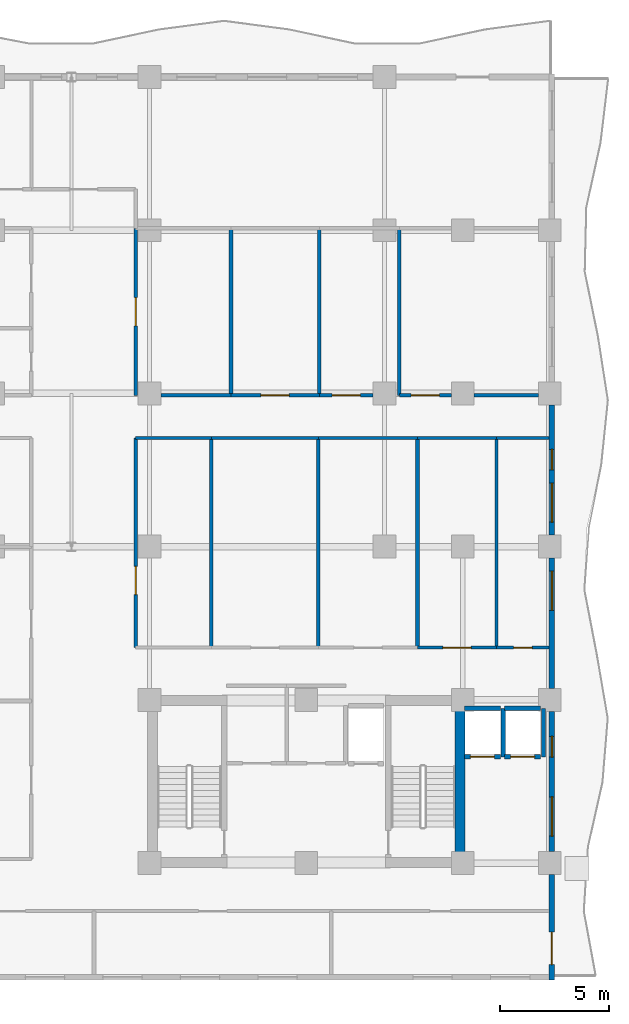
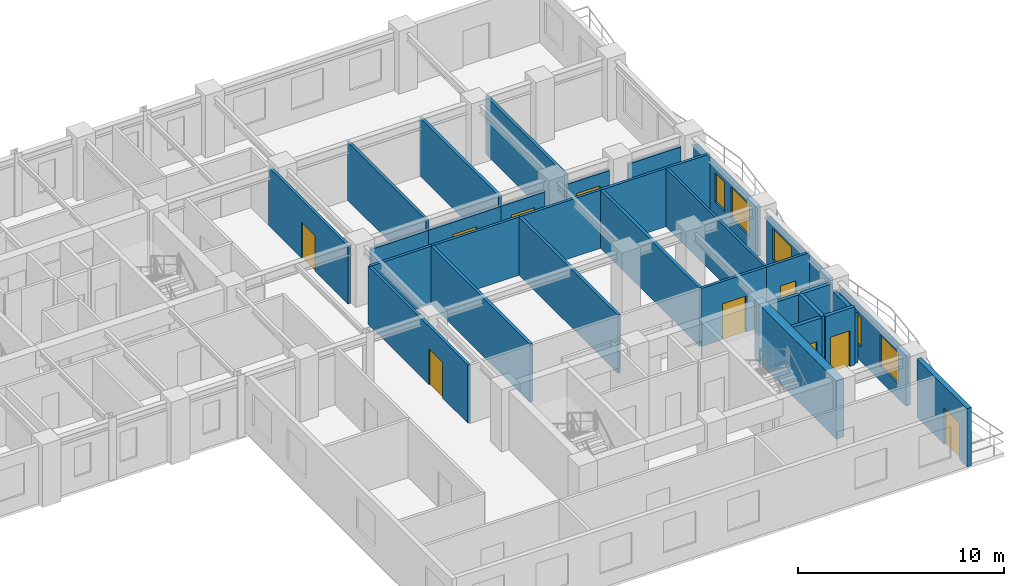
# One storey, part 13 of 19: 32 walls, 10 doors, 5 windows, 15 openings.
"""IFC4 building model written with IfcOpenShell, lengths in metres."""

from ifc_helpers import new_model, si_unit, direction, frame, frame_2d, origin, place, context, subcontext, project, spatial, rectangle, extrude, material, layer, layer_set, type_object, element, fill, save


model = new_model("IFC4")

# Units and contexts
model_context = context("Model", 3, precision=1e-05, world=origin(), true_north=direction((0.0, 1.0)))
body_context = subcontext(model_context, "Body", "Model", "MODEL_VIEW")
ifc_project = project(units=[si_unit("LENGTHUNIT", "METRE"), si_unit("AREAUNIT", "SQUARE_METRE"), si_unit("VOLUMEUNIT", "CUBIC_METRE"), si_unit("PLANEANGLEUNIT", "RADIAN"), si_unit("MASSUNIT", "GRAM", prefix="KILO")], contexts=[model_context])

# Site, building, storey
site_placement = place(None, origin())
site = spatial("IfcSite", under=ifc_project, at=site_placement, CompositionType="ELEMENT")
building_placement = place(site_placement, origin())
building = spatial("IfcBuilding", under=site, at=building_placement, Name="Kaliganga Portal Commons", CompositionType="ELEMENT")
storey_placement = place(building_placement, frame((0.0, 0.0, 184.60009765625)))
storey = spatial("IfcBuildingStorey", under=building, at=storey_placement, Name="L47", CompositionType="ELEMENT", Elevation=184.60009765625)

# Wall
ifc_material_1 = material(Name="Concrete C60/75", Category="concrete")
ifc_layer_1 = layer(ifc_material_1, 0.449951171875)
ifc_layer_set_1 = layer_set([ifc_layer_1], Name="Concrete C60/75")
wall_type_1 = type_object("IfcWallType", Name="WL-CORE-450", PredefinedType="SHEAR", material=ifc_layer_set_1)
wall_1_placement = place(storey_placement, frame((50.27490234375, 6.85009765625, 0.0), z_axis=(0.0, 0.0, 1.0), x_axis=(0.0, 1.0, 0.0)))
element("IfcWall", 1, at=wall_1_placement, inside=storey, type_object=wall_type_1, Name="Core B East Shear Wall L47", PredefinedType="SHEAR", context=body_context, shape_type="SweptSolid", body=[
    extrude(rectangle(XDim=7.89990234375, YDim=0.449951171875, at=frame_2d((3.949951171875, 0.0))), origin(), (0.0, 0.0, 1.0), 3.4599609375),
])

# Wall, opening, door
ifc_material_2 = material(Name="Insulated Aluminium-Clad Spandrel Assembly", Category="aluminium")
ifc_layer_2 = layer(ifc_material_2, 0.260009765625)
ifc_layer_set_2 = layer_set([ifc_layer_2], Name="Insulated Aluminium-Clad Spandrel Assembly")
wall_type_2 = type_object("IfcWallType", Name="WL-EXT-SPAND-260", PredefinedType="STANDARD", material=ifc_layer_set_2)
wall_2_placement = place(storey_placement, frame((54.5, 6.52392578125, 0.0), z_axis=(0.0, 0.0, 1.0), x_axis=(0.0, -1.0, 0.0)))
wall_2 = element("IfcWall", 2, at=wall_2_placement, inside=storey, type_object=wall_type_2, Name="Exterior Envelope Wall L47 P1-E01-S1", PredefinedType="STANDARD", context=body_context, shape_type="SweptSolid", body=[
    extrude(rectangle(XDim=4.85400390625, YDim=0.260009765625, at=frame_2d((2.427001953125, 0.0))), origin(), (0.0, 0.0, 1.0), 3.43994140625),
])
opening_1_placement = place(wall_2_placement, frame((2.64794921875, 0.0, 0.0)))
opening_1 = element("IfcOpeningElement", 3, at=opening_1_placement, cuts=wall_2, Name="Opening BD-01", PredefinedType="OPENING", context=body_context, shape_type="SweptSolid", body=[
    extrude(rectangle(XDim=1.5, YDim=2.14990234375, at=frame_2d((0.75, 1.074951171875))), frame((0.0, 0.14013671875, 0.0), z_axis=(0.0, -1.0, 0.0), x_axis=(1.0, 0.0, 0.0)), (0.0, 0.0, 1.0), 0.280029296875),
])
ifc_material_3 = material(Name="Anodized Aluminium and Laminated Safety Glass", Category="aluminium")
door_type_1 = type_object("IfcDoorType", Name="DR-BALC-1500", OperationType="SLIDING_TO_LEFT", PredefinedType="DOOR", material=ifc_material_3)
door_1_placement = place(opening_1_placement, origin())
door_1 = element("IfcDoor", 4, at=door_1_placement, inside=storey, type_object=door_type_1, Name="Balcony Sliding Door L47 balc_east", OperationType="SLIDING_TO_LEFT", OverallHeight=2.14990234375, OverallWidth=1.5, PredefinedType="DOOR", context=body_context, shape_type="SweptSolid", body=[
    extrude(rectangle(XDim=1.5, YDim=2.14990234375, at=frame_2d((0.75, 1.074951171875))), frame((0.0, 0.02490234375, 0.0), z_axis=(0.0, -1.0, 0.0), x_axis=(1.0, 0.0, 0.0)), (0.0, 0.0, 1.0), 0.050048828125),
])
fill(opening_1, door_1)

# Wall, openings, windows
wall_3_placement = place(storey_placement, frame((54.5, 14.02392578125, 0.0), z_axis=(0.0, 0.0, 1.0), x_axis=(0.0, -1.0, 0.0)))
wall_3 = element("IfcWall", 5, at=wall_3_placement, inside=storey, type_object=wall_type_2, Name="Exterior Envelope Wall L47 P1-E01-S2", PredefinedType="STANDARD", context=body_context, shape_type="SweptSolid", body=[
    extrude(rectangle(XDim=6.447998046875, YDim=0.260009765625, at=frame_2d((3.22412109375, 0.0))), origin(), (0.0, 0.0, 1.0), 2.989990234375),
])
opening_2_placement = place(wall_3_placement, frame((3.93603515625, 0.0, 0.85009765625)))
opening_2 = element("IfcOpeningElement", 6, at=opening_2_placement, cuts=wall_3, Name="Opening W-01", PredefinedType="OPENING", context=body_context, shape_type="SweptSolid", body=[
    extrude(rectangle(XDim=1.800048828125, YDim=1.85009765625, at=frame_2d((0.89990234375, 0.925048828125))), frame((0.0, 0.14013671875, 0.0), z_axis=(0.0, -1.0, 0.0), x_axis=(1.0, 0.0, 0.0)), (0.0, 0.0, 1.0), 0.280029296875),
])
opening_3_placement = place(wall_3_placement, frame((1.14990234375, 0.0, 0.85009765625)))
opening_3 = element("IfcOpeningElement", 7, at=opening_3_placement, cuts=wall_3, Name="Opening W-04", PredefinedType="OPENING", context=body_context, shape_type="SweptSolid", body=[
    extrude(rectangle(XDim=0.949951171875, YDim=1.75, at=frame_2d((0.47509765625, 0.875))), frame((0.0, 0.14013671875, 0.0), z_axis=(0.0, -1.0, 0.0), x_axis=(1.0, 0.0, 0.0)), (0.0, 0.0, 1.0), 0.280029296875),
])
ifc_material_4 = material(Name="Thermally Broken Aluminium and Low-E Double Glazing", Category="aluminium")
window_type_1 = type_object("IfcWindowType", Name="WIN-NARROW-950", PartitioningType="SINGLE_PANEL", PredefinedType="WINDOW", material=ifc_material_4)
window_1_placement = place(opening_3_placement, origin())
window_1 = element("IfcWindow", 8, at=window_1_placement, inside=storey, type_object=window_type_1, Name="Facade Window L47-P1E01S2-N1", OverallHeight=1.75, OverallWidth=0.949951171875, PartitioningType="SINGLE_PANEL", PredefinedType="WINDOW", context=body_context, shape_type="SweptSolid", body=[
    extrude(rectangle(XDim=0.949951171875, YDim=1.75, at=frame_2d((0.47509765625, 0.875))), frame((0.0, 0.030029296875, 0.0), z_axis=(0.0, -1.0, 0.0), x_axis=(1.0, 0.0, 0.0)), (0.0, 0.0, 1.0), 0.06005859375),
])
fill(opening_3, window_1)
window_type_2 = type_object("IfcWindowType", Name="WIN-STD-1800", PartitioningType="DOUBLE_PANEL_VERTICAL", PredefinedType="WINDOW", material=ifc_material_4)
window_2_placement = place(opening_2_placement, origin())
window_2 = element("IfcWindow", 9, at=window_2_placement, inside=storey, type_object=window_type_2, Name="Facade Window L47-P1E01S2-01", OverallHeight=1.85009765625, OverallWidth=1.800048828125, PartitioningType="SINGLE_PANEL", PredefinedType="WINDOW", context=body_context, shape_type="SweptSolid", body=[
    extrude(rectangle(XDim=1.800048828125, YDim=1.85009765625, at=frame_2d((0.89990234375, 0.925048828125))), frame((0.0, 0.030029296875, 0.0), z_axis=(0.0, -1.0, 0.0), x_axis=(1.0, 0.0, 0.0)), (0.0, 0.0, 1.0), 0.06005859375),
])
fill(opening_2, window_2)

# Wall, opening, window
wall_4_placement = place(storey_placement, frame((54.5, 21.073974609375, 0.0), z_axis=(0.0, 0.0, 1.0), x_axis=(0.0, -1.0, 0.0)))
wall_4 = element("IfcWall", 10, at=wall_4_placement, inside=storey, type_object=wall_type_2, Name="Exterior Envelope Wall L47 P1-E01-S3", PredefinedType="STANDARD", context=body_context, shape_type="SweptSolid", body=[
    extrude(rectangle(XDim=5.998046875, YDim=0.260009765625, at=frame_2d((2.9990234375, 0.0))), origin(), (0.0, 0.0, 1.0), 2.989990234375),
])
opening_4_placement = place(wall_4_placement, frame((0.599609375, 0.0, 0.85009765625)))
opening_4 = element("IfcOpeningElement", 11, at=opening_4_placement, cuts=wall_4, Name="Opening W-01", PredefinedType="OPENING", context=body_context, shape_type="SweptSolid", body=[
    extrude(rectangle(XDim=1.800048828125, YDim=1.85009765625, at=frame_2d((0.89990234375, 0.925048828125))), frame((0.0, 0.14013671875, 0.0), z_axis=(0.0, -1.0, 0.0), x_axis=(1.0, 0.0, 0.0)), (0.0, 0.0, 1.0), 0.280029296875),
])
window_3_placement = place(opening_4_placement, origin())
window_3 = element("IfcWindow", 12, at=window_3_placement, inside=storey, type_object=window_type_2, Name="Facade Window L47-P1E01S3-00", OverallHeight=1.85009765625, OverallWidth=1.800048828125, PartitioningType="SINGLE_PANEL", PredefinedType="WINDOW", context=body_context, shape_type="SweptSolid", body=[
    extrude(rectangle(XDim=1.800048828125, YDim=1.85009765625, at=frame_2d((0.89990234375, 0.925048828125))), frame((0.0, 0.030029296875, 0.0), z_axis=(0.0, -1.0, 0.0), x_axis=(1.0, 0.0, 0.0)), (0.0, 0.0, 1.0), 0.06005859375),
])
fill(opening_4, window_3)

# Wall, openings, windows
wall_5_placement = place(storey_placement, frame((54.5, 28.1240234375, 0.0), z_axis=(0.0, 0.0, 1.0), x_axis=(0.0, -1.0, 0.0)))
wall_5 = element("IfcWall", 13, at=wall_5_placement, inside=storey, type_object=wall_type_2, Name="Exterior Envelope Wall L47 P1-E01-S4", PredefinedType="STANDARD", context=body_context, shape_type="SweptSolid", body=[
    extrude(rectangle(XDim=5.998046875, YDim=0.260009765625, at=frame_2d((2.9990234375, 0.0))), origin(), (0.0, 0.0, 1.0), 2.989990234375),
])
opening_5_placement = place(wall_5_placement, frame((3.598388671875, 0.0, 0.85009765625)))
opening_5 = element("IfcOpeningElement", 14, at=opening_5_placement, cuts=wall_5, Name="Opening W-01", PredefinedType="OPENING", context=body_context, shape_type="SweptSolid", body=[
    extrude(rectangle(XDim=1.800048828125, YDim=1.85009765625, at=frame_2d((0.89990234375, 0.925048828125))), frame((0.0, 0.14013671875, 0.0), z_axis=(0.0, -1.0, 0.0), x_axis=(1.0, 0.0, 0.0)), (0.0, 0.0, 1.0), 0.280029296875),
])
opening_6_placement = place(wall_5_placement, frame((2.044189453125, 0.0, 0.85009765625)))
opening_6 = element("IfcOpeningElement", 15, at=opening_6_placement, cuts=wall_5, Name="Opening W-04", PredefinedType="OPENING", context=body_context, shape_type="SweptSolid", body=[
    extrude(rectangle(XDim=0.949951171875, YDim=1.75, at=frame_2d((0.47509765625, 0.875))), frame((0.0, 0.14013671875, 0.0), z_axis=(0.0, -1.0, 0.0), x_axis=(1.0, 0.0, 0.0)), (0.0, 0.0, 1.0), 0.280029296875),
])
window_4_placement = place(opening_6_placement, origin())
window_4 = element("IfcWindow", 16, at=window_4_placement, inside=storey, type_object=window_type_1, Name="Facade Window L47-P1E01S4-N5", OverallHeight=1.75, OverallWidth=0.949951171875, PartitioningType="SINGLE_PANEL", PredefinedType="WINDOW", context=body_context, shape_type="SweptSolid", body=[
    extrude(rectangle(XDim=0.949951171875, YDim=1.75, at=frame_2d((0.47509765625, 0.875))), frame((0.0, 0.030029296875, 0.0), z_axis=(0.0, -1.0, 0.0), x_axis=(1.0, 0.0, 0.0)), (0.0, 0.0, 1.0), 0.06005859375),
])
fill(opening_6, window_4)
window_5_placement = place(opening_5_placement, origin())
window_5 = element("IfcWindow", 17, at=window_5_placement, inside=storey, type_object=window_type_2, Name="Facade Window L47-P1E01S4-01", OverallHeight=1.85009765625, OverallWidth=1.800048828125, PartitioningType="SINGLE_PANEL", PredefinedType="WINDOW", context=body_context, shape_type="SweptSolid", body=[
    extrude(rectangle(XDim=1.800048828125, YDim=1.85009765625, at=frame_2d((0.89990234375, 0.925048828125))), frame((0.0, 0.030029296875, 0.0), z_axis=(0.0, -1.0, 0.0), x_axis=(1.0, 0.0, 0.0)), (0.0, 0.0, 1.0), 0.06005859375),
])
fill(opening_5, window_5)

# Wall, opening, door
ifc_material_5 = material(Name="Fire-Rated Gypsum Board on Steel Stud", Category="steel")
ifc_layer_3 = layer(ifc_material_5, 0.14990234375)
ifc_layer_set_3 = layer_set([ifc_layer_3], Name="Fire-Rated Gypsum Board on Steel Stud")
wall_type_3 = type_object("IfcWallType", Name="WL-PART-CORR-150", PredefinedType="PARTITIONING", material=ifc_layer_set_3)
wall_6_placement = place(storey_placement, frame((35.360107421875, 16.9599609375, 0.0), z_axis=(0.0, 0.0, 1.0), x_axis=(0.0, 1.0, 0.0)))
wall_6 = element("IfcWall", 18, at=wall_6_placement, inside=storey, type_object=wall_type_3, Name="Interior Partition L47-012", PredefinedType="PARTITIONING", context=body_context, shape_type="SweptSolid", body=[
    extrude(rectangle(XDim=9.64013671875, YDim=0.14990234375, at=frame_2d((4.820068359375, 0.0))), origin(), (0.0, 0.0, 1.0), 3.43994140625),
])
opening_7_placement = place(wall_6_placement, frame((2.434814453125, 0.0, 0.0)))
opening_7 = element("IfcOpeningElement", 19, at=opening_7_placement, cuts=wall_6, Name="Opening RD-03", PredefinedType="OPENING", context=body_context, shape_type="SweptSolid", body=[
    extrude(rectangle(XDim=1.300048828125, YDim=2.1201171875, at=frame_2d((0.64990234375, 1.06005859375))), frame((0.0, 0.0849609375, 0.0), z_axis=(0.0, -1.0, 0.0), x_axis=(1.0, 0.0, 0.0)), (0.0, 0.0, 1.0), 0.169921875),
])
ifc_material_6 = material(Name="Glazed Timber Seminar Vision Door", Category="wood")
door_type_2 = type_object("IfcDoorType", Name="DR-STUDY-1300", OperationType="DOUBLE_DOOR_SINGLE_SWING", PredefinedType="DOOR", material=ifc_material_6)
door_2_placement = place(opening_7_placement, origin())
door_2 = element("IfcDoor", 20, at=door_2_placement, inside=storey, type_object=door_type_2, Name="Interior Door L47-BM01", OperationType="DOUBLE_DOOR_SINGLE_SWING", OverallHeight=2.1201171875, OverallWidth=1.300048828125, PredefinedType="DOOR", context=body_context, shape_type="SweptSolid", body=[
    extrude(rectangle(XDim=1.300048828125, YDim=2.1201171875, at=frame_2d((0.64990234375, 1.06005859375))), frame((0.0, 0.02490234375, 0.0), z_axis=(0.0, -1.0, 0.0), x_axis=(1.0, 0.0, 0.0)), (0.0, 0.0, 1.0), 0.050048828125),
])
fill(opening_7, door_2)

wall_7_placement = place(storey_placement, frame((35.360107421875, 28.56005859375, 0.0), z_axis=(0.0, 0.0, 1.0), x_axis=(0.0, 1.0, 0.0)))
wall_7 = element("IfcWall", 21, at=wall_7_placement, inside=storey, type_object=wall_type_3, Name="Interior Partition L47-019", PredefinedType="PARTITIONING", context=body_context, shape_type="SweptSolid", body=[
    extrude(rectangle(XDim=7.679931640625, YDim=0.14990234375, at=frame_2d((3.83984375, 0.0))), origin(), (0.0, 0.0, 1.0), 3.43994140625),
])
opening_8_placement = place(wall_7_placement, frame((3.18994140625, 0.0, 0.0)))
opening_8 = element("IfcOpeningElement", 22, at=opening_8_placement, cuts=wall_7, Name="Opening RD-03", PredefinedType="OPENING", context=body_context, shape_type="SweptSolid", body=[
    extrude(rectangle(XDim=1.300048828125, YDim=2.1201171875, at=frame_2d((0.64990234375, 1.06005859375))), frame((0.0, 0.0849609375, 0.0), z_axis=(0.0, -1.0, 0.0), x_axis=(1.0, 0.0, 0.0)), (0.0, 0.0, 1.0), 0.169921875),
])
door_3_placement = place(opening_8_placement, origin())
door_3 = element("IfcDoor", 23, at=door_3_placement, inside=storey, type_object=door_type_2, Name="Interior Door L47-BK01", OperationType="DOUBLE_DOOR_SINGLE_SWING", OverallHeight=2.1201171875, OverallWidth=1.300048828125, PredefinedType="DOOR", context=body_context, shape_type="SweptSolid", body=[
    extrude(rectangle(XDim=1.300048828125, YDim=2.1201171875, at=frame_2d((0.64990234375, 1.06005859375))), frame((0.0, 0.02490234375, 0.0), z_axis=(0.0, -1.0, 0.0), x_axis=(1.0, 0.0, 0.0)), (0.0, 0.0, 1.0), 0.050048828125),
])
fill(opening_8, door_3)

wall_8_placement = place(storey_placement, frame((47.47998046875, 28.56005859375, 0.0), z_axis=(0.0, 0.0, 1.0), x_axis=(1.0, 0.0, 0.0)))
wall_8 = element("IfcWall", 24, at=wall_8_placement, inside=storey, type_object=wall_type_3, Name="Interior Partition L47-023", PredefinedType="PARTITIONING", context=body_context, shape_type="SweptSolid", body=[
    extrude(rectangle(XDim=2.39501953125, YDim=0.14990234375, at=frame_2d((1.197509765625, 0.0))), origin(), (0.0, 0.0, 1.0), 2.83984375),
])
opening_9_placement = place(wall_8_placement, frame((0.547607421875, 0.0, 0.0)))
opening_9 = element("IfcOpeningElement", 25, at=opening_9_placement, cuts=wall_8, Name="Opening RD-03", PredefinedType="OPENING", context=body_context, shape_type="SweptSolid", body=[
    extrude(rectangle(XDim=1.300048828125, YDim=2.1201171875, at=frame_2d((0.64990234375, 1.06005859375))), frame((0.0, 0.0849609375, 0.0), z_axis=(0.0, -1.0, 0.0), x_axis=(1.0, 0.0, 0.0)), (0.0, 0.0, 1.0), 0.169921875),
])
door_4_placement = place(opening_9_placement, origin())
door_4 = element("IfcDoor", 26, at=door_4_placement, inside=storey, type_object=door_type_2, Name="Interior Door L47-BK04", OperationType="DOUBLE_DOOR_SINGLE_SWING", OverallHeight=2.1201171875, OverallWidth=1.300048828125, PredefinedType="DOOR", context=body_context, shape_type="SweptSolid", body=[
    extrude(rectangle(XDim=1.300048828125, YDim=2.1201171875, at=frame_2d((0.64990234375, 1.06005859375))), frame((0.0, 0.02490234375, 0.0), z_axis=(0.0, -1.0, 0.0), x_axis=(1.0, 0.0, 0.0)), (0.0, 0.0, 1.0), 0.050048828125),
])
fill(opening_9, door_4)

# Walls
wall_9_placement = place(storey_placement, frame((50.925048828125, 28.56005859375, 0.0), z_axis=(0.0, 0.0, 1.0), x_axis=(1.0, 0.0, 0.0)))
element("IfcWall", 27, at=wall_9_placement, inside=storey, type_object=wall_type_3, Name="Interior Partition L47-024", PredefinedType="PARTITIONING", context=body_context, shape_type="SweptSolid", body=[
    extrude(rectangle(XDim=2.949951171875, YDim=0.14990234375, at=frame_2d((1.47509765625, 0.0))), origin(), (0.0, 0.0, 1.0), 2.83984375),
])
wall_10_placement = place(storey_placement, frame((38.840087890625, 26.60009765625, 0.0), z_axis=(0.0, 0.0, 1.0), x_axis=(1.0, 0.0, 0.0)))
element("IfcWall", 28, at=wall_10_placement, inside=storey, type_object=wall_type_3, Name="Interior Partition L47-031", PredefinedType="PARTITIONING", context=body_context, shape_type="SweptSolid", body=[
    extrude(rectangle(XDim=4.919921875, YDim=0.14990234375, at=frame_2d((2.4599609375, 0.0))), origin(), (0.0, 0.0, 1.0), 3.43994140625),
])
wall_11_placement = place(storey_placement, frame((43.760009765625, 26.60009765625, 0.0), z_axis=(0.0, 0.0, 1.0), x_axis=(1.0, 0.0, 0.0)))
element("IfcWall", 29, at=wall_11_placement, inside=storey, type_object=wall_type_3, Name="Interior Partition L47-037", PredefinedType="PARTITIONING", context=body_context, shape_type="SweptSolid", body=[
    extrude(rectangle(XDim=4.56005859375, YDim=0.14990234375, at=frame_2d((2.280029296875, 0.0))), origin(), (0.0, 0.0, 1.0), 3.43994140625),
])
wall_12_placement = place(storey_placement, frame((36.52490234375, 28.56005859375, 0.0), z_axis=(0.0, 0.0, 1.0), x_axis=(1.0, 0.0, 0.0)))
element("IfcWall", 30, at=wall_12_placement, inside=storey, type_object=wall_type_3, Name="Interior Partition L47-038", PredefinedType="PARTITIONING", context=body_context, shape_type="SweptSolid", body=[
    extrude(rectangle(XDim=3.215087890625, YDim=0.14990234375, at=frame_2d((1.607421875, 0.0))), origin(), (0.0, 0.0, 1.0), 2.83984375),
])

# Wall, opening, door
wall_13_placement = place(storey_placement, frame((39.739990234375, 28.56005859375, 0.0), z_axis=(0.0, 0.0, 1.0), x_axis=(1.0, 0.0, 0.0)))
wall_13 = element("IfcWall", 31, at=wall_13_placement, inside=storey, type_object=wall_type_3, Name="Interior Partition L47-039", PredefinedType="PARTITIONING", context=body_context, shape_type="SweptSolid", body=[
    extrude(rectangle(XDim=4.06005859375, YDim=0.14990234375, at=frame_2d((2.030029296875, 0.0))), origin(), (0.0, 0.0, 1.0), 2.83984375),
])
opening_10_placement = place(wall_13_placement, frame((1.3798828125, 0.0, 0.0)))
opening_10 = element("IfcOpeningElement", 32, at=opening_10_placement, cuts=wall_13, Name="Opening RD-03", PredefinedType="OPENING", context=body_context, shape_type="SweptSolid", body=[
    extrude(rectangle(XDim=1.300048828125, YDim=2.1201171875, at=frame_2d((0.64990234375, 1.06005859375))), frame((0.0, 0.0849609375, 0.0), z_axis=(0.0, -1.0, 0.0), x_axis=(1.0, 0.0, 0.0)), (0.0, 0.0, 1.0), 0.169921875),
])
door_5_placement = place(opening_10_placement, origin())
door_5 = element("IfcDoor", 33, at=door_5_placement, inside=storey, type_object=door_type_2, Name="Interior Door L47-BK02", OperationType="DOUBLE_DOOR_SINGLE_SWING", OverallHeight=2.1201171875, OverallWidth=1.300048828125, PredefinedType="DOOR", context=body_context, shape_type="SweptSolid", body=[
    extrude(rectangle(XDim=1.300048828125, YDim=2.1201171875, at=frame_2d((0.64990234375, 1.06005859375))), frame((0.0, 0.02490234375, 0.0), z_axis=(0.0, -1.0, 0.0), x_axis=(1.0, 0.0, 0.0)), (0.0, 0.0, 1.0), 0.050048828125),
])
fill(opening_10, door_5)

wall_14_placement = place(storey_placement, frame((43.800048828125, 28.56005859375, 0.0), z_axis=(0.0, 0.0, 1.0), x_axis=(1.0, 0.0, 0.0)))
wall_14 = element("IfcWall", 34, at=wall_14_placement, inside=storey, type_object=wall_type_3, Name="Interior Partition L47-043", PredefinedType="PARTITIONING", context=body_context, shape_type="SweptSolid", body=[
    extrude(rectangle(XDim=2.474853515625, YDim=0.14990234375, at=frame_2d((1.2373046875, 0.0))), origin(), (0.0, 0.0, 1.0), 2.83984375),
])
opening_11_placement = place(wall_14_placement, frame((0.58740234375, 0.0, 0.0)))
opening_11 = element("IfcOpeningElement", 35, at=opening_11_placement, cuts=wall_14, Name="Opening RD-03", PredefinedType="OPENING", context=body_context, shape_type="SweptSolid", body=[
    extrude(rectangle(XDim=1.300048828125, YDim=2.1201171875, at=frame_2d((0.64990234375, 1.06005859375))), frame((0.0, 0.0849609375, 0.0), z_axis=(0.0, -1.0, 0.0), x_axis=(1.0, 0.0, 0.0)), (0.0, 0.0, 1.0), 0.169921875),
])
door_6_placement = place(opening_11_placement, origin())
door_6 = element("IfcDoor", 36, at=door_6_placement, inside=storey, type_object=door_type_2, Name="Interior Door L47-BK03", OperationType="DOUBLE_DOOR_SINGLE_SWING", OverallHeight=2.1201171875, OverallWidth=1.300048828125, PredefinedType="DOOR", context=body_context, shape_type="SweptSolid", body=[
    extrude(rectangle(XDim=1.300048828125, YDim=2.1201171875, at=frame_2d((0.64990234375, 1.06005859375))), frame((0.0, 0.02490234375, 0.0), z_axis=(0.0, -1.0, 0.0), x_axis=(1.0, 0.0, 0.0)), (0.0, 0.0, 1.0), 0.050048828125),
])
fill(opening_11, door_6)

wall_15_placement = place(storey_placement, frame((48.320068359375, 16.9599609375, 0.0), z_axis=(0.0, 0.0, 1.0), x_axis=(1.0, 0.0, 0.0)))
wall_15 = element("IfcWall", 37, at=wall_15_placement, inside=storey, type_object=wall_type_3, Name="Interior Partition L47-044", PredefinedType="PARTITIONING", context=body_context, shape_type="SweptSolid", body=[
    extrude(rectangle(XDim=3.639892578125, YDim=0.14990234375, at=frame_2d((1.81982421875, 0.0))), origin(), (0.0, 0.0, 1.0), 3.43994140625),
])
opening_12_placement = place(wall_15_placement, frame((1.169921875, 0.0, 0.0)))
opening_12 = element("IfcOpeningElement", 38, at=opening_12_placement, cuts=wall_15, Name="Opening RD-03", PredefinedType="OPENING", context=body_context, shape_type="SweptSolid", body=[
    extrude(rectangle(XDim=1.300048828125, YDim=2.1201171875, at=frame_2d((0.64990234375, 1.06005859375))), frame((0.0, 0.0849609375, 0.0), z_axis=(0.0, -1.0, 0.0), x_axis=(1.0, 0.0, 0.0)), (0.0, 0.0, 1.0), 0.169921875),
])
door_7_placement = place(opening_12_placement, origin())
door_7 = element("IfcDoor", 39, at=door_7_placement, inside=storey, type_object=door_type_2, Name="Interior Door L47-BM04", OperationType="DOUBLE_DOOR_SINGLE_SWING", OverallHeight=2.1201171875, OverallWidth=1.300048828125, PredefinedType="DOOR", context=body_context, shape_type="SweptSolid", body=[
    extrude(rectangle(XDim=1.300048828125, YDim=2.1201171875, at=frame_2d((0.64990234375, 1.06005859375))), frame((0.0, 0.02490234375, 0.0), z_axis=(0.0, -1.0, 0.0), x_axis=(1.0, 0.0, 0.0)), (0.0, 0.0, 1.0), 0.050048828125),
])
fill(opening_12, door_7)

# Walls
wall_16_placement = place(storey_placement, frame((48.320068359375, 26.60009765625, 0.0), z_axis=(0.0, 0.0, 1.0), x_axis=(1.0, 0.0, 0.0)))
element("IfcWall", 40, at=wall_16_placement, inside=storey, type_object=wall_type_3, Name="Interior Partition L47-045", PredefinedType="PARTITIONING", context=body_context, shape_type="SweptSolid", body=[
    extrude(rectangle(XDim=3.639892578125, YDim=0.14990234375, at=frame_2d((1.81982421875, 0.0))), origin(), (0.0, 0.0, 1.0), 3.43994140625),
])
wall_17_placement = place(storey_placement, frame((35.360107421875, 26.60009765625, 0.0), z_axis=(0.0, 0.0, 1.0), x_axis=(1.0, 0.0, 0.0)))
element("IfcWall", 41, at=wall_17_placement, inside=storey, type_object=wall_type_3, Name="Interior Partition L47-047", PredefinedType="PARTITIONING", context=body_context, shape_type="SweptSolid", body=[
    extrude(rectangle(XDim=3.47998046875, YDim=0.14990234375, at=frame_2d((1.739990234375, 0.0))), origin(), (0.0, 0.0, 1.0), 3.43994140625),
])

# Wall, opening, door
wall_18_placement = place(storey_placement, frame((51.9599609375, 16.9599609375, 0.0), z_axis=(0.0, 0.0, 1.0), x_axis=(1.0, 0.0, 0.0)))
wall_18 = element("IfcWall", 42, at=wall_18_placement, inside=storey, type_object=wall_type_3, Name="Interior Partition L47-057", PredefinedType="PARTITIONING", context=body_context, shape_type="SweptSolid", body=[
    extrude(rectangle(XDim=2.407958984375, YDim=0.14990234375, at=frame_2d((1.2041015625, 0.0))), origin(), (0.0, 0.0, 1.0), 3.43994140625),
])
opening_13_placement = place(wall_18_placement, frame((0.779052734375, 0.0, 0.0)))
opening_13 = element("IfcOpeningElement", 43, at=opening_13_placement, cuts=wall_18, Name="Opening WD-01", PredefinedType="OPENING", context=body_context, shape_type="SweptSolid", body=[
    extrude(rectangle(XDim=0.85009765625, YDim=2.0400390625, at=frame_2d((0.425048828125, 1.02001953125))), frame((0.0, 0.0849609375, 0.0), z_axis=(0.0, -1.0, 0.0), x_axis=(1.0, 0.0, 0.0)), (0.0, 0.0, 1.0), 0.169921875),
])
ifc_material_7 = material(Name="Moisture-Resistant Laminate Timber Door", Category="wood")
door_type_3 = type_object("IfcDoorType", Name="DR-WET-850", OperationType="NOTDEFINED", PredefinedType="DOOR", material=ifc_material_7)
door_8_placement = place(opening_13_placement, origin())
door_8 = element("IfcDoor", 44, at=door_8_placement, inside=storey, type_object=door_type_3, Name="Interior Door L47-BM05", OperationType="SINGLE_SWING_LEFT", OverallHeight=2.0400390625, OverallWidth=0.85009765625, PredefinedType="DOOR", context=body_context, shape_type="SweptSolid", body=[
    extrude(rectangle(XDim=0.85009765625, YDim=2.0400390625, at=frame_2d((0.425048828125, 1.02001953125))), frame((0.0, 0.02490234375, 0.0), z_axis=(0.0, -1.0, 0.0), x_axis=(1.0, 0.0, 0.0)), (0.0, 0.0, 1.0), 0.050048828125),
])
fill(opening_13, door_8)

# Walls
wall_19_placement = place(storey_placement, frame((51.9599609375, 26.60009765625, 0.0), z_axis=(0.0, 0.0, 1.0), x_axis=(1.0, 0.0, 0.0)))
element("IfcWall", 45, at=wall_19_placement, inside=storey, type_object=wall_type_3, Name="Interior Partition L47-058", PredefinedType="PARTITIONING", context=body_context, shape_type="SweptSolid", body=[
    extrude(rectangle(XDim=2.407958984375, YDim=0.14990234375, at=frame_2d((1.2041015625, 0.0))), origin(), (0.0, 0.0, 1.0), 3.43994140625),
])
ifc_material_8 = material(Name="Twin-Stud Acoustic Gypsum Partition", Category="gypsum")
ifc_layer_4 = layer(ifc_material_8, 0.1650390625)
ifc_layer_set_4 = layer_set([ifc_layer_4], Name="Twin-Stud Acoustic Gypsum Partition")
wall_type_4 = type_object("IfcWallType", Name="WL-PART-UNIT-165", PredefinedType="PARTITIONING", material=ifc_layer_set_4)
for number, where, z_axis, x_axis, name in (
    (46, (38.840087890625, 16.9599609375, 0.0), (0.0, 0.0, 1.0), (0.0, 1.0, 0.0), "Interior Partition L47-067"),
    (47, (43.760009765625, 16.9599609375, 0.0), (0.0, 0.0, 1.0), (0.0, 1.0, 0.0), "Interior Partition L47-068"),
    (48, (48.320068359375, 16.9599609375, 0.0), (0.0, 0.0, 1.0), (0.0, 1.0, 0.0), "Interior Partition L47-069"),
):
    element("IfcWall", number, at=place(storey_placement, frame(where, z_axis=z_axis, x_axis=x_axis)), inside=storey, type_object=wall_type_4, Name=name, PredefinedType="PARTITIONING", context=body_context, shape_type="SweptSolid", body=[
        extrude(rectangle(XDim=9.64013671875, YDim=0.1650390625, at=frame_2d((4.820068359375, 0.0))), origin(), (0.0, 0.0, 1.0), 3.43994140625),
    ])
for number, where, z_axis, x_axis, name in (
    (49, (39.739990234375, 28.56005859375, 0.0), (0.0, 0.0, 1.0), (0.0, 1.0, 0.0), "Interior Partition L47-072"),
    (50, (43.800048828125, 28.56005859375, 0.0), (0.0, 0.0, 1.0), (0.0, 1.0, 0.0), "Interior Partition L47-073"),
    (51, (47.47998046875, 28.56005859375, 0.0), (0.0, 0.0, 1.0), (0.0, 1.0, 0.0), "Interior Partition L47-074"),
):
    element("IfcWall", number, at=place(storey_placement, frame(where, z_axis=z_axis, x_axis=x_axis)), inside=storey, type_object=wall_type_4, Name=name, PredefinedType="PARTITIONING", context=body_context, shape_type="SweptSolid", body=[
        extrude(rectangle(XDim=7.679931640625, YDim=0.1650390625, at=frame_2d((3.83984375, 0.0))), origin(), (0.0, 0.0, 1.0), 3.43994140625),
    ])
ifc_material_9 = material(Name="Cement-Board Wet-Room Partition", Category="gypsum")
ifc_layer_5 = layer(ifc_material_9, 0.135009765625)
ifc_layer_set_5 = layer_set([ifc_layer_5], Name="Cement-Board Wet-Room Partition")
wall_type_5 = type_object("IfcWallType", Name="WL-PART-WET-135", PredefinedType="PARTITIONING", material=ifc_layer_set_5)
wall_20_placement = place(storey_placement, frame((51.9599609375, 16.9599609375, 0.0), z_axis=(0.0, 0.0, 1.0), x_axis=(0.0, 1.0, 0.0)))
element("IfcWall", 52, at=wall_20_placement, inside=storey, type_object=wall_type_5, Name="Interior Partition L47-070", PredefinedType="PARTITIONING", context=body_context, shape_type="SweptSolid", body=[
    extrude(rectangle(XDim=9.64013671875, YDim=0.135009765625, at=frame_2d((4.820068359375, 0.0))), origin(), (0.0, 0.0, 1.0), 3.43994140625),
])

# Wall, opening, door
ifc_material_10 = material(Name="Fire-Rated Shaftwall Masonry Assembly", Category="masonry")
ifc_layer_6 = layer(ifc_material_10, 0.199951171875)
ifc_layer_set_6 = layer_set([ifc_layer_6], Name="Fire-Rated Shaftwall Masonry Assembly")
wall_type_6 = type_object("IfcWallType", Name="WL-SHAFT-200", PredefinedType="PARTITIONING", material=ifc_layer_set_6)
wall_21_placement = place(storey_placement, frame((50.47509765625, 11.93505859375, 0.0), z_axis=(0.0, 0.0, 1.0), x_axis=(1.0, 0.0, 0.0)))
wall_21 = element("IfcWall", 53, at=wall_21_placement, inside=storey, type_object=wall_type_6, Name="Lift PL-B3 Hoistway Shaft Wall L47-S", PredefinedType="PARTITIONING", context=body_context, shape_type="SweptSolid", body=[
    extrude(rectangle(XDim=1.64990234375, YDim=0.199951171875, at=frame_2d((0.824951171875, 0.0))), origin(), (0.0, 0.0, 1.0), 3.43994140625),
])
opening_14_placement = place(wall_21_placement, frame((0.27490234375, 0.0, 0.0)))
opening_14 = element("IfcOpeningElement", 54, at=opening_14_placement, cuts=wall_21, Name="Opening LD-01", PredefinedType="OPENING", context=body_context, shape_type="SweptSolid", body=[
    extrude(rectangle(XDim=1.10009765625, YDim=2.1201171875, at=frame_2d((0.550048828125, 1.06005859375))), frame((0.0, 0.10986328125, 0.0), z_axis=(0.0, -1.0, 0.0), x_axis=(1.0, 0.0, 0.0)), (0.0, 0.0, 1.0), 0.219970703125),
])
ifc_material_11 = material(Name="Brushed Stainless Steel 316 Lift Landing Door", Category="steel")
door_type_4 = type_object("IfcDoorType", Name="DR-LIFT-1100", OperationType="SLIDING_TO_LEFT", PredefinedType="DOOR", material=ifc_material_11)
door_9_placement = place(opening_14_placement, origin())
door_9 = element("IfcDoor", 55, at=door_9_placement, inside=storey, type_object=door_type_4, Name="Lift PL-B3 Sliding Landing Door L47", OperationType="SLIDING_TO_LEFT", OverallHeight=2.1201171875, OverallWidth=1.10009765625, PredefinedType="DOOR", context=body_context, shape_type="SweptSolid", body=[
    extrude(rectangle(XDim=1.10009765625, YDim=2.1201171875, at=frame_2d((0.550048828125, 1.06005859375))), frame((0.0, 0.02490234375, 0.0), z_axis=(0.0, -1.0, 0.0), x_axis=(1.0, 0.0, 0.0)), (0.0, 0.0, 1.0), 0.050048828125),
])
fill(opening_14, door_9)

# Walls
wall_22_placement = place(storey_placement, frame((50.47509765625, 14.1650390625, 0.0), z_axis=(0.0, 0.0, 1.0), x_axis=(1.0, 0.0, 0.0)))
element("IfcWall", 56, at=wall_22_placement, inside=storey, type_object=wall_type_6, Name="Lift PL-B3 Hoistway Shaft Wall L47-N", PredefinedType="PARTITIONING", context=body_context, shape_type="SweptSolid", body=[
    extrude(rectangle(XDim=1.64990234375, YDim=0.199951171875, at=frame_2d((0.824951171875, 0.0))), origin(), (0.0, 0.0, 1.0), 3.43994140625),
])
wall_23_placement = place(storey_placement, frame((52.264892578125, 11.93505859375, 0.0), z_axis=(0.0, 0.0, 1.0), x_axis=(0.0, 1.0, 0.0)))
element("IfcWall", 57, at=wall_23_placement, inside=storey, type_object=wall_type_6, Name="Lift PL-B3 Hoistway Shaft Wall L47-E", PredefinedType="PARTITIONING", context=body_context, shape_type="SweptSolid", body=[
    extrude(rectangle(XDim=2.22998046875, YDim=0.199951171875, at=frame_2d((1.114990234375, 0.0))), origin(), (0.0, 0.0, 1.0), 3.43994140625),
])

# Wall, opening, door
wall_24_placement = place(storey_placement, frame((52.324951171875, 11.93505859375, 0.0), z_axis=(0.0, 0.0, 1.0), x_axis=(1.0, 0.0, 0.0)))
wall_24 = element("IfcWall", 58, at=wall_24_placement, inside=storey, type_object=wall_type_6, Name="Lift PL-B4 Hoistway Shaft Wall L47-S", PredefinedType="PARTITIONING", context=body_context, shape_type="SweptSolid", body=[
    extrude(rectangle(XDim=1.650146484375, YDim=0.199951171875, at=frame_2d((0.8251953125, 0.0))), origin(), (0.0, 0.0, 1.0), 3.43994140625),
])
opening_15_placement = place(wall_24_placement, frame((0.27490234375, 0.0, 0.0)))
opening_15 = element("IfcOpeningElement", 59, at=opening_15_placement, cuts=wall_24, Name="Opening LD-01", PredefinedType="OPENING", context=body_context, shape_type="SweptSolid", body=[
    extrude(rectangle(XDim=1.10009765625, YDim=2.1201171875, at=frame_2d((0.550048828125, 1.06005859375))), frame((0.0, 0.10986328125, 0.0), z_axis=(0.0, -1.0, 0.0), x_axis=(1.0, 0.0, 0.0)), (0.0, 0.0, 1.0), 0.219970703125),
])
door_10_placement = place(opening_15_placement, origin())
door_10 = element("IfcDoor", 60, at=door_10_placement, inside=storey, type_object=door_type_4, Name="Lift PL-B4 Sliding Landing Door L47", OperationType="SLIDING_TO_LEFT", OverallHeight=2.1201171875, OverallWidth=1.10009765625, PredefinedType="DOOR", context=body_context, shape_type="SweptSolid", body=[
    extrude(rectangle(XDim=1.10009765625, YDim=2.1201171875, at=frame_2d((0.550048828125, 1.06005859375))), frame((0.0, 0.02490234375, 0.0), z_axis=(0.0, -1.0, 0.0), x_axis=(1.0, 0.0, 0.0)), (0.0, 0.0, 1.0), 0.050048828125),
])
fill(opening_15, door_10)

# Walls
wall_25_placement = place(storey_placement, frame((52.324951171875, 14.1650390625, 0.0), z_axis=(0.0, 0.0, 1.0), x_axis=(1.0, 0.0, 0.0)))
element("IfcWall", 61, at=wall_25_placement, inside=storey, type_object=wall_type_6, Name="Lift PL-B4 Hoistway Shaft Wall L47-N", PredefinedType="PARTITIONING", context=body_context, shape_type="SweptSolid", body=[
    extrude(rectangle(XDim=1.650146484375, YDim=0.199951171875, at=frame_2d((0.8251953125, 0.0))), origin(), (0.0, 0.0, 1.0), 3.43994140625),
])
wall_26_placement = place(storey_placement, frame((54.114990234375, 11.93505859375, 0.0), z_axis=(0.0, 0.0, 1.0), x_axis=(0.0, 1.0, 0.0)))
element("IfcWall", 62, at=wall_26_placement, inside=storey, type_object=wall_type_6, Name="Lift PL-B4 Hoistway Shaft Wall L47-E", PredefinedType="PARTITIONING", context=body_context, shape_type="SweptSolid", body=[
    extrude(rectangle(XDim=2.22998046875, YDim=0.199951171875, at=frame_2d((1.114990234375, 0.0))), origin(), (0.0, 0.0, 1.0), 2.989990234375),
])

save(model, "model.ifc")
